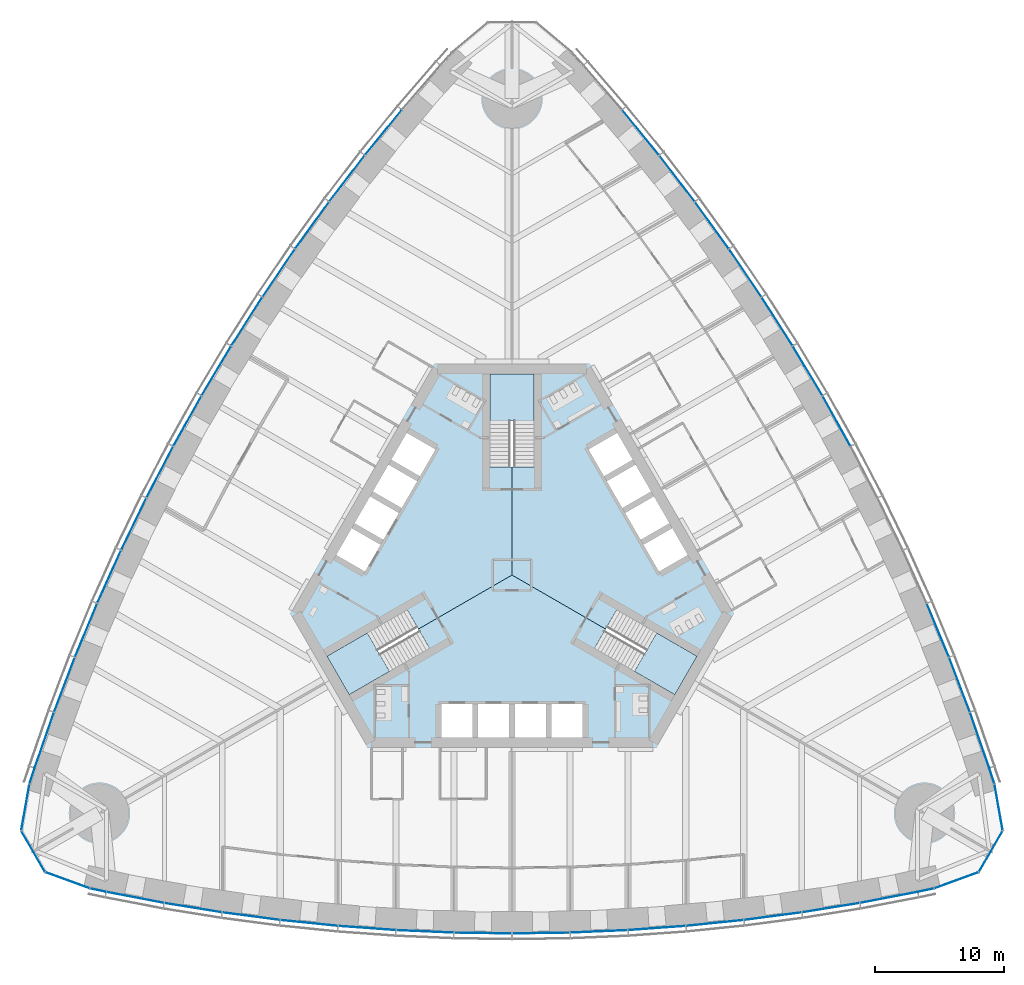
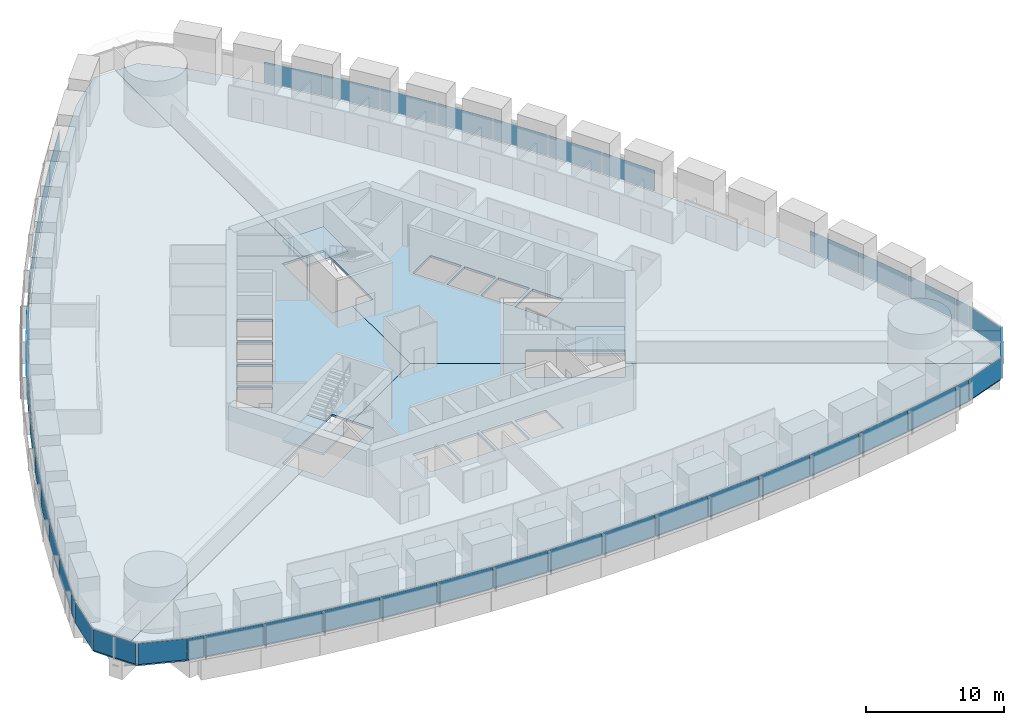
# One storey, part 8 of 18: 47 plates, 6 slabs, 8 elements without a shape of their own.
"""IFC4 building model written with IfcOpenShell, lengths in metres."""

from ifc_helpers import new_model, si_unit, direction, frame, origin, origin_2d, place, context, subcontext, project, spatial, polyline, rectangle, outline, extrude, material, layer, layer_set, type_object, element, aggregate, save


model = new_model("IFC4")

# Units and contexts
model_context = context("Model", 3, precision=1e-05, world=origin(), true_north=direction((0.0, 1.0)))
body_context = subcontext(model_context, "Body", "Model", "MODEL_VIEW")
ifc_project = project(units=[si_unit("LENGTHUNIT", "METRE"), si_unit("AREAUNIT", "SQUARE_METRE"), si_unit("VOLUMEUNIT", "CUBIC_METRE"), si_unit("PLANEANGLEUNIT", "RADIAN"), si_unit("MASSUNIT", "GRAM", prefix="KILO")], contexts=[model_context])

# Site, building, storey
site_placement = place(None, origin())
site = spatial("IfcSite", under=ifc_project, at=site_placement, CompositionType="ELEMENT")
building_placement = place(site_placement, origin())
building = spatial("IfcBuilding", under=site, at=building_placement, Name="Trefoil Bronze Tower", CompositionType="ELEMENT")
storey_placement = place(building_placement, frame((0.0, 0.0, 87.89990234375)))
storey = spatial("IfcBuildingStorey", under=building, at=storey_placement, Name="L20", CompositionType="ELEMENT", Elevation=87.89990234375)

# Curtain wall, plates
ifc_material_1 = material(Name="Tinted solar-control glass", Category="glass")
curtain_wall_type_1 = type_object("IfcCurtainWallType", Name="Bronze office curtain wall", PredefinedType="USERDEFINED", material=ifc_material_1)
curtain_wall_1_placement = place(storey_placement, origin())
curtain_wall_1 = element("IfcCurtainWall", 1, at=curtain_wall_1_placement, inside=storey, type_object=curtain_wall_type_1, Name="CW-A L20 F1", ObjectType="CURTAIN WALL", PredefinedType="USERDEFINED")
ifc_material_2 = material(Name="Tinted solar-control glass", Category="glass")
ifc_layer_1 = layer(ifc_material_2, 0.030029296875)
ifc_layer_set_1 = layer_set([ifc_layer_1], Name="Bronze office curtain wall glass panel")
plate_type_1 = type_object("IfcPlateType", Name="Bronze office curtain wall glass panel", PredefinedType="CURTAIN_PANEL", material=ifc_layer_set_1)
plate_1_placement = place(storey_placement, frame((-32.15185546875, -24.480224609375, 0.0), z_axis=(0.0, 0.0, 1.0), x_axis=(0.978302717041, -0.207180582657, 0.0)))
plate_1 = element("IfcPlate", 2, at=plate_1_placement, type_object=plate_type_1, Name="CW-A L20 F1 panel 1", PredefinedType="CURTAIN_PANEL", context=body_context, shape_type="SweptSolid", body=[
    extrude(rectangle(XDim=1.21044921875, YDim=0.030029296875, at=origin_2d()), origin(), (0.0, 0.0, 1.0), 1.85009765625),
])
plate_2_placement = place(storey_placement, frame((-29.268798828125, -25.04638671875, 0.0), z_axis=(0.0, 0.0, 1.0), x_axis=(0.982049823817, -0.188621694249, 0.0)))
plate_2 = element("IfcPlate", 3, at=plate_2_placement, type_object=plate_type_1, Name="CW-A L20 F1 panel 2", PredefinedType="CURTAIN_PANEL", context=body_context, shape_type="SweptSolid", body=[
    extrude(rectangle(XDim=4.502197265625, YDim=0.030029296875, at=origin_2d()), origin(), (0.0, 0.0, 1.0), 1.85009765625),
])
plate_3_placement = place(storey_placement, frame((-24.765869140625, -25.8427734375, 0.0), z_axis=(0.0, 0.0, 1.0), x_axis=(0.987181315145, -0.159602791421, 0.0)))
plate_3 = element("IfcPlate", 4, at=plate_3_placement, type_object=plate_type_1, Name="CW-A L20 F1 panel 3", PredefinedType="CURTAIN_PANEL", context=body_context, shape_type="SweptSolid", body=[
    extrude(rectangle(XDim=4.478515625, YDim=0.030029296875, at=origin_2d()), origin(), (0.0, 0.0, 1.0), 1.85009765625),
])
plate_4_placement = place(storey_placement, frame((-20.262939453125, -26.50341796875, 0.0), z_axis=(0.0, 0.0, 1.0), x_axis=(0.991437251591, -0.130583981243, 0.0)))
plate_4 = element("IfcPlate", 5, at=plate_4_placement, type_object=plate_type_1, Name="CW-A L20 F1 panel 4", PredefinedType="CURTAIN_PANEL", context=body_context, shape_type="SweptSolid", body=[
    extrude(rectangle(XDim=4.458984375, YDim=0.030029296875, at=origin_2d()), origin(), (0.0, 0.0, 1.0), 1.85009765625),
])
plate_5_placement = place(storey_placement, frame((-15.76025390625, -27.02978515625, 0.0), z_axis=(0.0, 0.0, 1.0), x_axis=(0.994828880293, -0.101565244717, 0.0)))
plate_5 = element("IfcPlate", 6, at=plate_5_placement, type_object=plate_type_1, Name="CW-A L20 F1 panel 5", PredefinedType="CURTAIN_PANEL", context=body_context, shape_type="SweptSolid", body=[
    extrude(rectangle(XDim=4.443359375, YDim=0.030029296875, at=origin_2d()), origin(), (0.0, 0.0, 1.0), 1.85009765625),
])
plate_6_placement = place(storey_placement, frame((-11.25732421875, -27.42333984375, 0.0), z_axis=(0.0, 0.0, 1.0), x_axis=(0.99736502647, -0.072546564177, 0.0)))
plate_6 = element("IfcPlate", 7, at=plate_6_placement, type_object=plate_type_1, Name="CW-A L20 F1 panel 6", PredefinedType="CURTAIN_PANEL", context=body_context, shape_type="SweptSolid", body=[
    extrude(rectangle(XDim=4.431884765625, YDim=0.030029296875, at=origin_2d()), origin(), (0.0, 0.0, 1.0), 1.85009765625),
])
plate_7_placement = place(storey_placement, frame((-6.75439453125, -27.685302734375, 0.0), z_axis=(0.0, 0.0, 1.0), x_axis=(0.999052210809, -0.043527922969, 0.0)))
plate_7 = element("IfcPlate", 8, at=plate_7_placement, type_object=plate_type_1, Name="CW-A L20 F1 panel 7", PredefinedType="CURTAIN_PANEL", context=body_context, shape_type="SweptSolid", body=[
    extrude(rectangle(XDim=4.42431640625, YDim=0.030029296875, at=origin_2d()), origin(), (0.0, 0.0, 1.0), 1.85009765625),
])
plate_8_placement = place(storey_placement, frame((-2.25146484375, -27.816162109375, 0.0), z_axis=(0.0, 0.0, 1.0), x_axis=(0.999894734493, -0.014509305083, 0.0)))
plate_8 = element("IfcPlate", 9, at=plate_8_placement, type_object=plate_type_1, Name="CW-A L20 F1 panel 8", PredefinedType="CURTAIN_PANEL", context=body_context, shape_type="SweptSolid", body=[
    extrude(rectangle(XDim=4.42041015625, YDim=0.030029296875, at=origin_2d()), origin(), (0.0, 0.0, 1.0), 1.85009765625),
])
plate_9_placement = place(storey_placement, frame((2.25146484375, -27.816162109375, 0.0), z_axis=(0.0, 0.0, 1.0), x_axis=(0.999894734493, 0.014509305083, 0.0)))
plate_9 = element("IfcPlate", 10, at=plate_9_placement, type_object=plate_type_1, Name="CW-A L20 F1 panel 9", PredefinedType="CURTAIN_PANEL", context=body_context, shape_type="SweptSolid", body=[
    extrude(rectangle(XDim=4.42041015625, YDim=0.030029296875, at=origin_2d()), origin(), (0.0, 0.0, 1.0), 1.85009765625),
])
plate_10_placement = place(storey_placement, frame((6.75439453125, -27.685302734375, 0.0), z_axis=(0.0, 0.0, 1.0), x_axis=(0.999052210809, 0.043527922969, 0.0)))
plate_10 = element("IfcPlate", 11, at=plate_10_placement, type_object=plate_type_1, Name="CW-A L20 F1 panel 10", PredefinedType="CURTAIN_PANEL", context=body_context, shape_type="SweptSolid", body=[
    extrude(rectangle(XDim=4.42431640625, YDim=0.030029296875, at=origin_2d()), origin(), (0.0, 0.0, 1.0), 1.85009765625),
])
plate_11_placement = place(storey_placement, frame((11.25732421875, -27.42333984375, 0.0), z_axis=(0.0, 0.0, 1.0), x_axis=(0.99736502647, 0.072546564177, 0.0)))
plate_11 = element("IfcPlate", 12, at=plate_11_placement, type_object=plate_type_1, Name="CW-A L20 F1 panel 11", PredefinedType="CURTAIN_PANEL", context=body_context, shape_type="SweptSolid", body=[
    extrude(rectangle(XDim=4.431884765625, YDim=0.030029296875, at=origin_2d()), origin(), (0.0, 0.0, 1.0), 1.85009765625),
])
plate_12_placement = place(storey_placement, frame((15.76025390625, -27.02978515625, 0.0), z_axis=(0.0, 0.0, 1.0), x_axis=(0.994828880293, 0.101565244717, 0.0)))
plate_12 = element("IfcPlate", 13, at=plate_12_placement, type_object=plate_type_1, Name="CW-A L20 F1 panel 12", PredefinedType="CURTAIN_PANEL", context=body_context, shape_type="SweptSolid", body=[
    extrude(rectangle(XDim=4.443359375, YDim=0.030029296875, at=origin_2d()), origin(), (0.0, 0.0, 1.0), 1.85009765625),
])
plate_13_placement = place(storey_placement, frame((20.262939453125, -26.50341796875, 0.0), z_axis=(0.0, 0.0, 1.0), x_axis=(0.991437251591, 0.130583981243, 0.0)))
plate_13 = element("IfcPlate", 14, at=plate_13_placement, type_object=plate_type_1, Name="CW-A L20 F1 panel 13", PredefinedType="CURTAIN_PANEL", context=body_context, shape_type="SweptSolid", body=[
    extrude(rectangle(XDim=4.458984375, YDim=0.030029296875, at=origin_2d()), origin(), (0.0, 0.0, 1.0), 1.85009765625),
])
plate_14_placement = place(storey_placement, frame((24.765869140625, -25.8427734375, 0.0), z_axis=(0.0, 0.0, 1.0), x_axis=(0.987181315145, 0.159602791421, 0.0)))
plate_14 = element("IfcPlate", 15, at=plate_14_placement, type_object=plate_type_1, Name="CW-A L20 F1 panel 14", PredefinedType="CURTAIN_PANEL", context=body_context, shape_type="SweptSolid", body=[
    extrude(rectangle(XDim=4.478515625, YDim=0.030029296875, at=origin_2d()), origin(), (0.0, 0.0, 1.0), 1.85009765625),
])
plate_15_placement = place(storey_placement, frame((29.268798828125, -25.04638671875, 0.0), z_axis=(0.0, 0.0, 1.0), x_axis=(0.982049823817, 0.188621694249, 0.0)))
plate_15 = element("IfcPlate", 16, at=plate_15_placement, type_object=plate_type_1, Name="CW-A L20 F1 panel 15", PredefinedType="CURTAIN_PANEL", context=body_context, shape_type="SweptSolid", body=[
    extrude(rectangle(XDim=4.502197265625, YDim=0.030029296875, at=origin_2d()), origin(), (0.0, 0.0, 1.0), 1.85009765625),
])
plate_16_placement = place(storey_placement, frame((32.15185546875, -24.480224609375, 0.0), z_axis=(0.0, 0.0, 1.0), x_axis=(0.978302717041, 0.207180582657, 0.0)))
plate_16 = element("IfcPlate", 17, at=plate_16_placement, type_object=plate_type_1, Name="CW-A L20 F1 panel 16", PredefinedType="CURTAIN_PANEL", context=body_context, shape_type="SweptSolid", body=[
    extrude(rectangle(XDim=1.21044921875, YDim=0.030029296875, at=origin_2d()), origin(), (0.0, 0.0, 1.0), 1.85009765625),
])
aggregate(curtain_wall_1, [plate_1, plate_2, plate_3, plate_4, plate_5, plate_6, plate_7, plate_8, plate_9, plate_10, plate_11, plate_12, plate_13, plate_14, plate_15, plate_16])

curtain_wall_2_placement = place(storey_placement, origin())
curtain_wall_2 = element("IfcCurtainWall", 18, at=curtain_wall_2_placement, inside=storey, type_object=curtain_wall_type_1, Name="CW-A L20 F2", ObjectType="CURTAIN WALL", PredefinedType="USERDEFINED")
plate_17_placement = place(storey_placement, frame((37.2763671875, -15.604248046875, 0.0), z_axis=(0.0, 0.0, 1.0), x_axis=(-0.309727710769, 0.950825296877, 0.0)))
plate_17 = element("IfcPlate", 19, at=plate_17_placement, type_object=plate_type_1, Name="CW-A L20 F2 panel 1", PredefinedType="CURTAIN_PANEL", context=body_context, shape_type="SweptSolid", body=[
    extrude(rectangle(XDim=1.21044921875, YDim=0.030029296875, at=origin_2d()), origin(), (0.0, 0.0, 1.0), 1.85009765625),
])
plate_18_placement = place(storey_placement, frame((36.3251953125, -12.824462890625, 0.0), z_axis=(0.0, 0.0, 1.0), x_axis=(-0.327673732984, 0.944790942332, 0.0)))
plate_18 = element("IfcPlate", 20, at=plate_18_placement, type_object=plate_type_1, Name="CW-A L20 F2 panel 2", PredefinedType="CURTAIN_PANEL", context=body_context, shape_type="SweptSolid", body=[
    extrude(rectangle(XDim=4.502197265625, YDim=0.030029296875, at=origin_2d()), origin(), (0.0, 0.0, 1.0), 1.85009765625),
])
plate_19_placement = place(storey_placement, frame((34.763427734375, -8.526611328125, 0.0), z_axis=(0.0, 0.0, 1.0), x_axis=(-0.355370585687, 0.934725492767, 0.0)))
plate_19 = element("IfcPlate", 21, at=plate_19_placement, type_object=plate_type_1, Name="CW-A L20 F2 panel 3", PredefinedType="CURTAIN_PANEL", context=body_context, shape_type="SweptSolid", body=[
    extrude(rectangle(XDim=4.478515625, YDim=0.030029296875, at=origin_2d()), origin(), (0.0, 0.0, 1.0), 1.85009765625),
])
plate_20_placement = place(storey_placement, frame((33.084228515625, -4.296630859375, 0.0), z_axis=(0.0, 0.0, 1.0), x_axis=(-0.382629580712, 0.923901836758, 0.0)))
plate_20 = element("IfcPlate", 22, at=plate_20_placement, type_object=plate_type_1, Name="CW-A L20 F2 panel 4", PredefinedType="CURTAIN_PANEL", context=body_context, shape_type="SweptSolid", body=[
    extrude(rectangle(XDim=4.458984375, YDim=0.030029296875, at=origin_2d()), origin(), (0.0, 0.0, 1.0), 1.85009765625),
])
plate_21_placement = place(storey_placement, frame((25.215087890625, 11.958251953125, 0.0), z_axis=(0.0, 0.0, 1.0), x_axis=(-0.487381940453, 0.873188893722, 0.0)))
plate_21 = element("IfcPlate", 23, at=plate_21_placement, type_object=plate_type_1, Name="CW-A L20 F2 panel 8", PredefinedType="CURTAIN_PANEL", context=body_context, shape_type="SweptSolid", body=[
    extrude(rectangle(XDim=4.42041015625, YDim=0.030029296875, at=origin_2d()), origin(), (0.0, 0.0, 1.0), 1.85009765625),
])
plate_22_placement = place(storey_placement, frame((22.963623046875, 15.85791015625, 0.0), z_axis=(0.0, 0.0, 1.0), x_axis=(-0.51251279404, 0.858679588639, 0.0)))
plate_22 = element("IfcPlate", 24, at=plate_22_placement, type_object=plate_type_1, Name="CW-A L20 F2 panel 9", PredefinedType="CURTAIN_PANEL", context=body_context, shape_type="SweptSolid", body=[
    extrude(rectangle(XDim=4.42041015625, YDim=0.030029296875, at=origin_2d()), origin(), (0.0, 0.0, 1.0), 1.85009765625),
])
plate_23_placement = place(storey_placement, frame((20.598876953125, 19.692138671875, 0.0), z_axis=(0.0, 0.0, 1.0), x_axis=(-0.537222392469, 0.843440632783, 0.0)))
plate_23 = element("IfcPlate", 25, at=plate_23_placement, type_object=plate_type_1, Name="CW-A L20 F2 panel 10", PredefinedType="CURTAIN_PANEL", context=body_context, shape_type="SweptSolid", body=[
    extrude(rectangle(XDim=4.42431640625, YDim=0.030029296875, at=origin_2d()), origin(), (0.0, 0.0, 1.0), 1.85009765625),
])
plate_24_placement = place(storey_placement, frame((18.120849609375, 23.460693359375, 0.0), z_axis=(0.0, 0.0, 1.0), x_axis=(-0.56150968077, 0.827470167681, 0.0)))
plate_24 = element("IfcPlate", 26, at=plate_24_placement, type_object=plate_type_1, Name="CW-A L20 F2 panel 11", PredefinedType="CURTAIN_PANEL", context=body_context, shape_type="SweptSolid", body=[
    extrude(rectangle(XDim=4.431884765625, YDim=0.030029296875, at=origin_2d()), origin(), (0.0, 0.0, 1.0), 1.85009765625),
])
plate_25_placement = place(storey_placement, frame((15.5283203125, 27.16357421875, 0.0), z_axis=(0.0, 0.0, 1.0), x_axis=(-0.585372522213, 0.810764460394, 0.0)))
plate_25 = element("IfcPlate", 27, at=plate_25_placement, type_object=plate_type_1, Name="CW-A L20 F2 panel 12", PredefinedType="CURTAIN_PANEL", context=body_context, shape_type="SweptSolid", body=[
    extrude(rectangle(XDim=4.443359375, YDim=0.030029296875, at=origin_2d()), origin(), (0.0, 0.0, 1.0), 1.85009765625),
])
plate_26_placement = place(storey_placement, frame((12.821044921875, 30.800048828125, 0.0), z_axis=(0.0, 0.0, 1.0), x_axis=(-0.608807670879, 0.793317855515, 0.0)))
plate_26 = element("IfcPlate", 28, at=plate_26_placement, type_object=plate_type_1, Name="CW-A L20 F2 panel 13", PredefinedType="CURTAIN_PANEL", context=body_context, shape_type="SweptSolid", body=[
    extrude(rectangle(XDim=4.458984375, YDim=0.030029296875, at=origin_2d()), origin(), (0.0, 0.0, 1.0), 1.85009765625),
])
plate_27_placement = place(storey_placement, frame((9.99755859375, 34.369384765625, 0.0), z_axis=(0.0, 0.0, 1.0), x_axis=(-0.631810729457, 0.775122701346, 0.0)))
plate_27 = element("IfcPlate", 29, at=plate_27_placement, type_object=plate_type_1, Name="CW-A L20 F2 panel 14", PredefinedType="CURTAIN_PANEL", context=body_context, shape_type="SweptSolid", body=[
    extrude(rectangle(XDim=4.478515625, YDim=0.030029296875, at=origin_2d()), origin(), (0.0, 0.0, 1.0), 1.85009765625),
])
aggregate(curtain_wall_2, [plate_17, plate_18, plate_19, plate_20, plate_21, plate_22, plate_23, plate_24, plate_25, plate_26, plate_27])

curtain_wall_3_placement = place(storey_placement, origin())
curtain_wall_3 = element("IfcCurtainWall", 30, at=curtain_wall_3_placement, inside=storey, type_object=curtain_wall_type_1, Name="CW-A L20 F3", ObjectType="CURTAIN WALL", PredefinedType="USERDEFINED")
plate_28_placement = place(storey_placement, frame((-9.99755859375, 34.369384765625, 0.0), z_axis=(0.0, 0.0, 1.0), x_axis=(-0.631810729457, -0.775122701346, 0.0)))
plate_28 = element("IfcPlate", 31, at=plate_28_placement, type_object=plate_type_1, Name="CW-A L20 F3 panel 3", PredefinedType="CURTAIN_PANEL", context=body_context, shape_type="SweptSolid", body=[
    extrude(rectangle(XDim=4.478515625, YDim=0.030029296875, at=origin_2d()), origin(), (0.0, 0.0, 1.0), 1.85009765625),
])
plate_29_placement = place(storey_placement, frame((-12.821044921875, 30.800048828125, 0.0), z_axis=(0.0, 0.0, 1.0), x_axis=(-0.608807670879, -0.793317855515, 0.0)))
plate_29 = element("IfcPlate", 32, at=plate_29_placement, type_object=plate_type_1, Name="CW-A L20 F3 panel 4", PredefinedType="CURTAIN_PANEL", context=body_context, shape_type="SweptSolid", body=[
    extrude(rectangle(XDim=4.458984375, YDim=0.030029296875, at=origin_2d()), origin(), (0.0, 0.0, 1.0), 1.85009765625),
])
plate_30_placement = place(storey_placement, frame((-15.5283203125, 27.16357421875, 0.0), z_axis=(0.0, 0.0, 1.0), x_axis=(-0.585372522213, -0.810764460394, 0.0)))
plate_30 = element("IfcPlate", 33, at=plate_30_placement, type_object=plate_type_1, Name="CW-A L20 F3 panel 5", PredefinedType="CURTAIN_PANEL", context=body_context, shape_type="SweptSolid", body=[
    extrude(rectangle(XDim=4.443359375, YDim=0.030029296875, at=origin_2d()), origin(), (0.0, 0.0, 1.0), 1.85009765625),
])
plate_31_placement = place(storey_placement, frame((-18.120849609375, 23.460693359375, 0.0), z_axis=(0.0, 0.0, 1.0), x_axis=(-0.56150968077, -0.827470167681, 0.0)))
plate_31 = element("IfcPlate", 34, at=plate_31_placement, type_object=plate_type_1, Name="CW-A L20 F3 panel 6", PredefinedType="CURTAIN_PANEL", context=body_context, shape_type="SweptSolid", body=[
    extrude(rectangle(XDim=4.431884765625, YDim=0.030029296875, at=origin_2d()), origin(), (0.0, 0.0, 1.0), 1.85009765625),
])
plate_32_placement = place(storey_placement, frame((-20.598876953125, 19.692138671875, 0.0), z_axis=(0.0, 0.0, 1.0), x_axis=(-0.537222392469, -0.843440632783, 0.0)))
plate_32 = element("IfcPlate", 35, at=plate_32_placement, type_object=plate_type_1, Name="CW-A L20 F3 panel 7", PredefinedType="CURTAIN_PANEL", context=body_context, shape_type="SweptSolid", body=[
    extrude(rectangle(XDim=4.42431640625, YDim=0.030029296875, at=origin_2d()), origin(), (0.0, 0.0, 1.0), 1.85009765625),
])
plate_33_placement = place(storey_placement, frame((-22.963623046875, 15.85791015625, 0.0), z_axis=(0.0, 0.0, 1.0), x_axis=(-0.51251279404, -0.858679588639, 0.0)))
plate_33 = element("IfcPlate", 36, at=plate_33_placement, type_object=plate_type_1, Name="CW-A L20 F3 panel 8", PredefinedType="CURTAIN_PANEL", context=body_context, shape_type="SweptSolid", body=[
    extrude(rectangle(XDim=4.42041015625, YDim=0.030029296875, at=origin_2d()), origin(), (0.0, 0.0, 1.0), 1.85009765625),
])
plate_34_placement = place(storey_placement, frame((-25.215087890625, 11.958251953125, 0.0), z_axis=(0.0, 0.0, 1.0), x_axis=(-0.487381940453, -0.873188893722, 0.0)))
plate_34 = element("IfcPlate", 37, at=plate_34_placement, type_object=plate_type_1, Name="CW-A L20 F3 panel 9", PredefinedType="CURTAIN_PANEL", context=body_context, shape_type="SweptSolid", body=[
    extrude(rectangle(XDim=4.42041015625, YDim=0.030029296875, at=origin_2d()), origin(), (0.0, 0.0, 1.0), 1.85009765625),
])
plate_35_placement = place(storey_placement, frame((-27.353271484375, 7.9931640625, 0.0), z_axis=(0.0, 0.0, 1.0), x_axis=(-0.46182981834, -0.886968555752, 0.0)))
plate_35 = element("IfcPlate", 38, at=plate_35_placement, type_object=plate_type_1, Name="CW-A L20 F3 panel 10", PredefinedType="CURTAIN_PANEL", context=body_context, shape_type="SweptSolid", body=[
    extrude(rectangle(XDim=4.42431640625, YDim=0.030029296875, at=origin_2d()), origin(), (0.0, 0.0, 1.0), 1.85009765625),
])
plate_36_placement = place(storey_placement, frame((-29.3779296875, 3.962646484375, 0.0), z_axis=(0.0, 0.0, 1.0), x_axis=(-0.4358553457, -0.900016731858, 0.0)))
plate_36 = element("IfcPlate", 39, at=plate_36_placement, type_object=plate_type_1, Name="CW-A L20 F3 panel 11", PredefinedType="CURTAIN_PANEL", context=body_context, shape_type="SweptSolid", body=[
    extrude(rectangle(XDim=4.431884765625, YDim=0.030029296875, at=origin_2d()), origin(), (0.0, 0.0, 1.0), 1.85009765625),
])
plate_37_placement = place(storey_placement, frame((-31.28857421875, -0.1337890625, 0.0), z_axis=(0.0, 0.0, 1.0), x_axis=(-0.40945635808, -0.912329705111, 0.0)))
plate_37 = element("IfcPlate", 40, at=plate_37_placement, type_object=plate_type_1, Name="CW-A L20 F3 panel 12", PredefinedType="CURTAIN_PANEL", context=body_context, shape_type="SweptSolid", body=[
    extrude(rectangle(XDim=4.443359375, YDim=0.030029296875, at=origin_2d()), origin(), (0.0, 0.0, 1.0), 1.85009765625),
])
plate_38_placement = place(storey_placement, frame((-33.084228515625, -4.296630859375, 0.0), z_axis=(0.0, 0.0, 1.0), x_axis=(-0.382629580712, -0.923901836758, 0.0)))
plate_38 = element("IfcPlate", 41, at=plate_38_placement, type_object=plate_type_1, Name="CW-A L20 F3 panel 13", PredefinedType="CURTAIN_PANEL", context=body_context, shape_type="SweptSolid", body=[
    extrude(rectangle(XDim=4.458984375, YDim=0.030029296875, at=origin_2d()), origin(), (0.0, 0.0, 1.0), 1.85009765625),
])
plate_39_placement = place(storey_placement, frame((-34.763427734375, -8.526611328125, 0.0), z_axis=(0.0, 0.0, 1.0), x_axis=(-0.355370585687, -0.934725492767, 0.0)))
plate_39 = element("IfcPlate", 42, at=plate_39_placement, type_object=plate_type_1, Name="CW-A L20 F3 panel 14", PredefinedType="CURTAIN_PANEL", context=body_context, shape_type="SweptSolid", body=[
    extrude(rectangle(XDim=4.478515625, YDim=0.030029296875, at=origin_2d()), origin(), (0.0, 0.0, 1.0), 1.85009765625),
])
plate_40_placement = place(storey_placement, frame((-36.3251953125, -12.824462890625, 0.0), z_axis=(0.0, 0.0, 1.0), x_axis=(-0.327673732984, -0.944790942332, 0.0)))
plate_40 = element("IfcPlate", 43, at=plate_40_placement, type_object=plate_type_1, Name="CW-A L20 F3 panel 15", PredefinedType="CURTAIN_PANEL", context=body_context, shape_type="SweptSolid", body=[
    extrude(rectangle(XDim=4.502197265625, YDim=0.030029296875, at=origin_2d()), origin(), (0.0, 0.0, 1.0), 1.85009765625),
])
plate_41_placement = place(storey_placement, frame((-37.2763671875, -15.604248046875, 0.0), z_axis=(0.0, 0.0, 1.0), x_axis=(-0.309727710769, -0.950825296877, 0.0)))
plate_41 = element("IfcPlate", 44, at=plate_41_placement, type_object=plate_type_1, Name="CW-A L20 F3 panel 16", PredefinedType="CURTAIN_PANEL", context=body_context, shape_type="SweptSolid", body=[
    extrude(rectangle(XDim=1.21044921875, YDim=0.030029296875, at=origin_2d()), origin(), (0.0, 0.0, 1.0), 1.85009765625),
])
aggregate(curtain_wall_3, [plate_28, plate_29, plate_30, plate_31, plate_32, plate_33, plate_34, plate_35, plate_36, plate_37, plate_38, plate_39, plate_40, plate_41])

ifc_material_3 = material(Name="Tinted solar-control glass", Category="glass")
curtain_wall_type_2 = type_object("IfcCurtainWallType", Name="Bronze rounded corner curtain wall", PredefinedType="USERDEFINED", material=ifc_material_3)
curtain_wall_4_placement = place(storey_placement, origin())
curtain_wall_4 = element("IfcCurtainWall", 45, at=curtain_wall_4_placement, inside=storey, type_object=curtain_wall_type_2, Name="CW-B L20 K1", ObjectType="CURTAIN WALL", PredefinedType="USERDEFINED")
ifc_material_4 = material(Name="Tinted solar-control glass", Category="glass")
ifc_layer_2 = layer(ifc_material_4, 0.030029296875)
ifc_layer_set_2 = layer_set([ifc_layer_2], Name="Bronze rounded corner curtain wall glass panel")
plate_type_2 = type_object("IfcPlateType", Name="Bronze rounded corner curtain wall glass panel", PredefinedType="CURTAIN_PANEL", material=ifc_layer_set_2)
plate_42_placement = place(storey_placement, frame((34.5107421875, -23.71875, 0.0), z_axis=(0.0, 0.0, 1.0), x_axis=(0.939692620786, 0.342020143326, 0.0)))
plate_42 = element("IfcPlate", 46, at=plate_42_placement, type_object=plate_type_2, Name="CW-B L20 K1 panel 1", PredefinedType="CURTAIN_PANEL", context=body_context, shape_type="SweptSolid", body=[
    extrude(rectangle(XDim=3.588134765625, YDim=0.030029296875, at=origin_2d()), origin(), (0.0, 0.0, 1.0), 1.85009765625),
])
plate_43_placement = place(storey_placement, frame((37.189208984375, -21.47119140625, 0.0), z_axis=(0.0, 0.0, 1.0), x_axis=(0.5, 0.866025403784, 0.0)))
plate_43 = element("IfcPlate", 47, at=plate_43_placement, type_object=plate_type_2, Name="CW-B L20 K1 panel 2", PredefinedType="CURTAIN_PANEL", context=body_context, shape_type="SweptSolid", body=[
    extrude(rectangle(XDim=3.588134765625, YDim=0.030029296875, at=origin_2d()), origin(), (0.0, 0.0, 1.0), 1.85009765625),
])
plate_44_placement = place(storey_placement, frame((37.79638671875, -18.02783203125, 0.0), z_axis=(0.0, 0.0, 1.0), x_axis=(-0.173648177667, 0.984807753012, 0.0)))
plate_44 = element("IfcPlate", 48, at=plate_44_placement, type_object=plate_type_2, Name="CW-B L20 K1 panel 3", PredefinedType="CURTAIN_PANEL", context=body_context, shape_type="SweptSolid", body=[
    extrude(rectangle(XDim=3.588134765625, YDim=0.030029296875, at=origin_2d()), origin(), (0.0, 0.0, 1.0), 1.85009765625),
])
aggregate(curtain_wall_4, [plate_42, plate_43, plate_44])

curtain_wall_5_placement = place(storey_placement, origin())
curtain_wall_5 = element("IfcCurtainWall", 49, at=curtain_wall_5_placement, inside=storey, type_object=curtain_wall_type_2, Name="CW-B L20 K3", ObjectType="CURTAIN WALL", PredefinedType="USERDEFINED")
plate_45_placement = place(storey_placement, frame((-37.79638671875, -18.02783203125, 0.0), z_axis=(0.0, 0.0, 1.0), x_axis=(-0.173648177667, -0.984807753012, 0.0)))
plate_45 = element("IfcPlate", 50, at=plate_45_placement, type_object=plate_type_2, Name="CW-B L20 K3 panel 1", PredefinedType="CURTAIN_PANEL", context=body_context, shape_type="SweptSolid", body=[
    extrude(rectangle(XDim=3.588134765625, YDim=0.030029296875, at=origin_2d()), origin(), (0.0, 0.0, 1.0), 1.85009765625),
])
plate_46_placement = place(storey_placement, frame((-37.189208984375, -21.47119140625, 0.0), z_axis=(0.0, 0.0, 1.0), x_axis=(0.5, -0.866025403784, 0.0)))
plate_46 = element("IfcPlate", 51, at=plate_46_placement, type_object=plate_type_2, Name="CW-B L20 K3 panel 2", PredefinedType="CURTAIN_PANEL", context=body_context, shape_type="SweptSolid", body=[
    extrude(rectangle(XDim=3.588134765625, YDim=0.030029296875, at=origin_2d()), origin(), (0.0, 0.0, 1.0), 1.85009765625),
])
plate_47_placement = place(storey_placement, frame((-34.5107421875, -23.71875, 0.0), z_axis=(0.0, 0.0, 1.0), x_axis=(0.939692620786, -0.342020143326, 0.0)))
plate_47 = element("IfcPlate", 52, at=plate_47_placement, type_object=plate_type_2, Name="CW-B L20 K3 panel 3", PredefinedType="CURTAIN_PANEL", context=body_context, shape_type="SweptSolid", body=[
    extrude(rectangle(XDim=3.588134765625, YDim=0.030029296875, at=origin_2d()), origin(), (0.0, 0.0, 1.0), 1.85009765625),
])
aggregate(curtain_wall_5, [plate_45, plate_46, plate_47])

# Slabs
ifc_material_5 = material(Name="Concrete B30", Category="concrete")
ifc_layer_3 = layer(ifc_material_5, 0.199951171875)
ifc_layer_set_3 = layer_set([ifc_layer_3], Name="Floor slab 200")
slab_type_1 = type_object("IfcSlabType", Name="Floor slab 200", PredefinedType="FLOOR", material=ifc_layer_set_3)
slab_1_placement = place(storey_placement, frame((0.0, 0.0, -0.199951171875)))
element("IfcSlab", 53, at=slab_1_placement, inside=storey, type_object=slab_type_1, Name="Floor slab L20 face 1", PredefinedType="FLOOR", context=body_context, shape_type="SweptSolid", body=[
    extrude(outline(polyline([(27.0, -25.38037109375), (22.5, -26.10791015625), (18.0, -26.70068359375), (13.5, -27.159912109375), (9.0, -27.4873046875), (4.5, -27.683349609375), (0.0, -27.748779296875), (-4.5, -27.683349609375), (-9.0, -27.4873046875), (-13.5, -27.159912109375), (-18.0, -26.70068359375), (-22.5, -26.10791015625), (-27.0, -25.38037109375), (-31.5, -24.51611328125), (-32.762451171875, -24.248779296875), (-36.190673828125, -23.0009765625), (-37.1025390625, -21.421142578125), (-13.510009765625, -7.800048828125), (-12.6474609375, -9.2939453125), (-6.412109375, -5.69384765625), (-7.274658203125, -4.199951171875), (0.0, 0.0), (7.274658203125, -4.199951171875), (6.412109375, -5.69384765625), (12.6474609375, -9.2939453125), (13.510009765625, -7.800048828125), (37.1025390625, -21.421142578125), (36.190673828125, -23.0009765625), (32.762451171875, -24.248779296875), (31.5, -24.51611328125), (27.0, -25.38037109375)]), holes=[polyline([(-5.574951171875, -10.02490234375), (-2.97509765625, -10.02490234375), (-2.97509765625, -12.60009765625), (-5.574951171875, -12.60009765625), (-5.574951171875, -10.02490234375)]), polyline([(-2.72509765625, -10.02490234375), (-0.125, -10.02490234375), (-0.125, -12.60009765625), (-2.72509765625, -12.60009765625), (-2.72509765625, -10.02490234375)]), polyline([(0.125, -10.02490234375), (2.72509765625, -10.02490234375), (2.72509765625, -12.60009765625), (0.125, -12.60009765625), (0.125, -10.02490234375)]), polyline([(2.97509765625, -10.02490234375), (5.574951171875, -10.02490234375), (5.574951171875, -12.60009765625), (2.97509765625, -12.60009765625), (2.97509765625, -10.02490234375)])]), origin(), (0.0, 0.0, 1.0), 0.199951171875),
])
slab_2_placement = place(storey_placement, frame((0.0, 0.0, -0.199951171875)))
element("IfcSlab", 54, at=slab_2_placement, inside=storey, type_object=slab_type_1, Name="Floor slab L20 face 2", PredefinedType="FLOOR", context=body_context, shape_type="SweptSolid", body=[
    extrude(outline(polyline([(8.47998046875, 36.07275390625), (11.360107421875, 32.53955078125), (14.123291015625, 28.938720703125), (16.771240234375, 25.271240234375), (19.3046875, 21.537841796875), (21.724609375, 17.73876953125), (24.031005859375, 13.874267578125), (26.224609375, 9.944580078125), (28.3046875, 5.949462890625), (30.271240234375, 1.888671875), (32.123291015625, -2.238037109375), (33.860107421875, -6.431640625), (35.47998046875, -10.6923828125), (36.9814453125, -15.021728515625), (37.381103515625, -16.248779296875), (38.0146484375, -19.841552734375), (37.1025390625, -21.421142578125), (13.510009765625, -7.800048828125), (14.37255859375, -6.30615234375), (8.13720703125, -2.7060546875), (7.274658203125, -4.199951171875), (0.0, 0.0), (0.0, 8.39990234375), (1.72509765625, 8.39990234375), (1.72509765625, 15.60009765625), (0.0, 15.60009765625), (0.0, 42.842529296875), (1.82421875, 42.842529296875), (4.618896484375, 40.497314453125), (5.4814453125, 39.537841796875), (8.47998046875, 36.07275390625)]), holes=[polyline([(11.469482421875, 0.184326171875), (10.16943359375, 2.43603515625), (12.3994140625, 3.7236328125), (13.699462890625, 1.471923828125), (11.469482421875, 0.184326171875)]), polyline([(10.04443359375, 2.652587890625), (8.744384765625, 4.904296875), (10.974365234375, 6.191650390625), (12.2744140625, 3.940185546875), (10.04443359375, 2.652587890625)]), polyline([(8.619384765625, 5.120849609375), (7.3193359375, 7.372314453125), (9.54931640625, 8.659912109375), (10.849365234375, 6.408203125), (8.619384765625, 5.120849609375)]), polyline([(7.1943359375, 7.5888671875), (5.894287109375, 9.840576171875), (8.12451171875, 11.128173828125), (9.42431640625, 8.87646484375), (7.1943359375, 7.5888671875)])]), origin(), (0.0, 0.0, 1.0), 0.199951171875),
])
slab_3_placement = place(storey_placement, frame((0.0, 0.0, -0.199951171875)))
element("IfcSlab", 55, at=slab_3_placement, inside=storey, type_object=slab_type_1, Name="Floor slab L20 face 3", PredefinedType="FLOOR", context=body_context, shape_type="SweptSolid", body=[
    extrude(outline(polyline([(-35.47998046875, -10.6923828125), (-33.860107421875, -6.431640625), (-32.123291015625, -2.238037109375), (-30.271240234375, 1.888671875), (-28.3046875, 5.949462890625), (-26.224609375, 9.944580078125), (-24.031005859375, 13.874267578125), (-21.724609375, 17.73876953125), (-19.3046875, 21.537841796875), (-16.771240234375, 25.271240234375), (-14.123291015625, 28.938720703125), (-11.360107421875, 32.53955078125), (-8.47998046875, 36.07275390625), (-5.4814453125, 39.537841796875), (-4.618896484375, 40.497314453125), (-1.82421875, 42.842529296875), (0.0, 42.842529296875), (0.0, 15.60009765625), (-1.72509765625, 15.60009765625), (-1.72509765625, 8.39990234375), (0.0, 8.39990234375), (0.0, 0.0), (-7.274658203125, -4.199951171875), (-8.13720703125, -2.7060546875), (-14.37255859375, -6.30615234375), (-13.510009765625, -7.800048828125), (-37.1025390625, -21.421142578125), (-38.0146484375, -19.841552734375), (-37.381103515625, -16.248779296875), (-36.9814453125, -15.021728515625), (-35.47998046875, -10.6923828125)]), holes=[polyline([(-5.894287109375, 9.840576171875), (-7.1943359375, 7.5888671875), (-9.42431640625, 8.87646484375), (-8.12451171875, 11.128173828125), (-5.894287109375, 9.840576171875)]), polyline([(-7.3193359375, 7.372314453125), (-8.619384765625, 5.120849609375), (-10.849365234375, 6.408203125), (-9.54931640625, 8.659912109375), (-7.3193359375, 7.372314453125)]), polyline([(-8.744384765625, 4.904296875), (-10.04443359375, 2.652587890625), (-12.2744140625, 3.940185546875), (-10.974365234375, 6.191650390625), (-8.744384765625, 4.904296875)]), polyline([(-10.16943359375, 2.43603515625), (-11.469482421875, 0.184326171875), (-13.699462890625, 1.471923828125), (-12.3994140625, 3.7236328125), (-10.16943359375, 2.43603515625)])]), origin(), (0.0, 0.0, 1.0), 0.199951171875),
])

# Stair, slab
ifc_material_6 = material(Name="Precast concrete B80", Category="concrete")
stair_type = type_object("IfcStairType", Name="Exit stair 26 risers", PredefinedType="HALF_TURN_STAIR", material=ifc_material_6)
stair_1_placement = place(storey_placement, origin())
stair_1 = element("IfcStair", 56, at=stair_1_placement, inside=storey, type_object=stair_type, Name="Stair ST1 L20", PredefinedType="HALF_TURN_STAIR")
ifc_material_7 = material(Name="Concrete B30", Category="concrete")
ifc_layer_4 = layer(ifc_material_7, 0.199951171875)
ifc_layer_set_4 = layer_set([ifc_layer_4], Name="Stair landing 200")
slab_type_2 = type_object("IfcSlabType", Name="Stair landing 200", PredefinedType="LANDING", material=ifc_layer_set_4)
slab_4_placement = place(storey_placement, frame((0.0, 0.0, 1.900146484375)))
slab_4 = element("IfcSlab", 57, at=slab_4_placement, type_object=slab_type_2, Name="ST1 landing 1", PredefinedType="LANDING", context=body_context, shape_type="SweptSolid", body=[
    extrude(outline(polyline([(9.512451171875, -7.48388671875), (12.6474609375, -9.2939453125), (14.37255859375, -6.30615234375), (11.237548828125, -4.49609375), (9.512451171875, -7.48388671875)])), origin(), (0.0, 0.0, 1.0), 0.199951171875),
])
aggregate(stair_1, [slab_4])

stair_2_placement = place(storey_placement, origin())
stair_2 = element("IfcStair", 58, at=stair_2_placement, inside=storey, type_object=stair_type, Name="Stair ST2 L20", PredefinedType="HALF_TURN_STAIR")
slab_5_placement = place(storey_placement, frame((0.0, 0.0, 1.900146484375)))
slab_5 = element("IfcSlab", 59, at=slab_5_placement, type_object=slab_type_2, Name="ST2 landing 1", PredefinedType="LANDING", context=body_context, shape_type="SweptSolid", body=[
    extrude(outline(polyline([(1.72509765625, 11.97998046875), (1.72509765625, 15.60009765625), (-1.72509765625, 15.60009765625), (-1.72509765625, 11.97998046875), (1.72509765625, 11.97998046875)])), origin(), (0.0, 0.0, 1.0), 0.199951171875),
])
aggregate(stair_2, [slab_5])

stair_3_placement = place(storey_placement, origin())
stair_3 = element("IfcStair", 60, at=stair_3_placement, inside=storey, type_object=stair_type, Name="Stair ST3 L20", PredefinedType="HALF_TURN_STAIR")
slab_6_placement = place(storey_placement, frame((0.0, 0.0, 1.900146484375)))
slab_6 = element("IfcSlab", 61, at=slab_6_placement, type_object=slab_type_2, Name="ST3 landing 1", PredefinedType="LANDING", context=body_context, shape_type="SweptSolid", body=[
    extrude(outline(polyline([(-11.237548828125, -4.49609375), (-14.37255859375, -6.30615234375), (-12.6474609375, -9.2939453125), (-9.512451171875, -7.48388671875), (-11.237548828125, -4.49609375)])), origin(), (0.0, 0.0, 1.0), 0.199951171875),
])
aggregate(stair_3, [slab_6])

save(model, "model.ifc")
